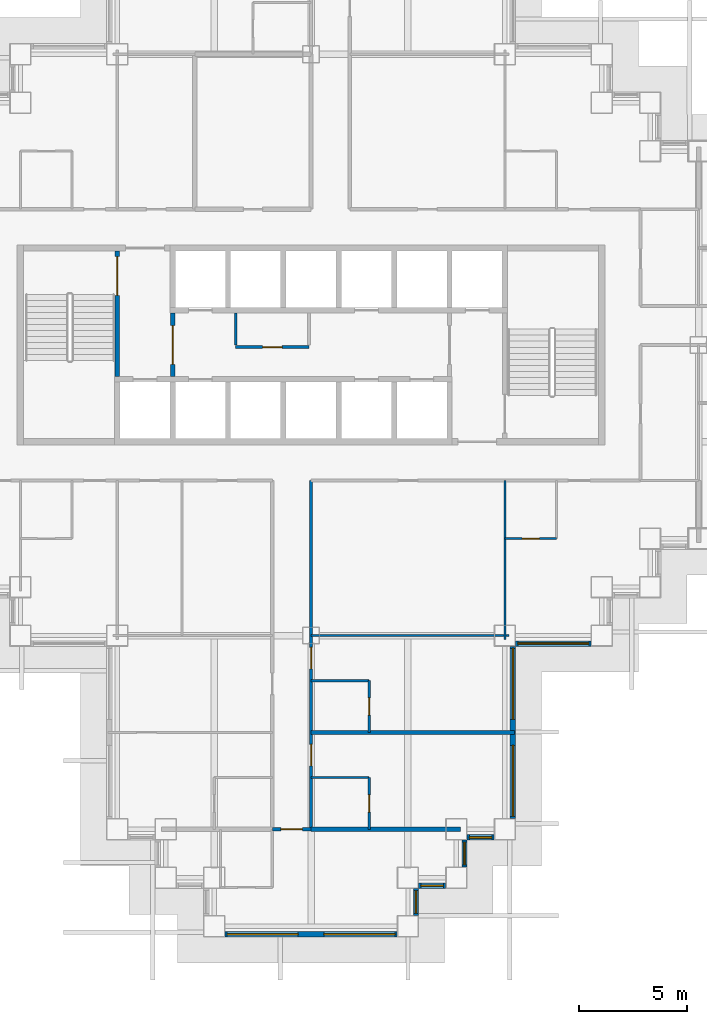
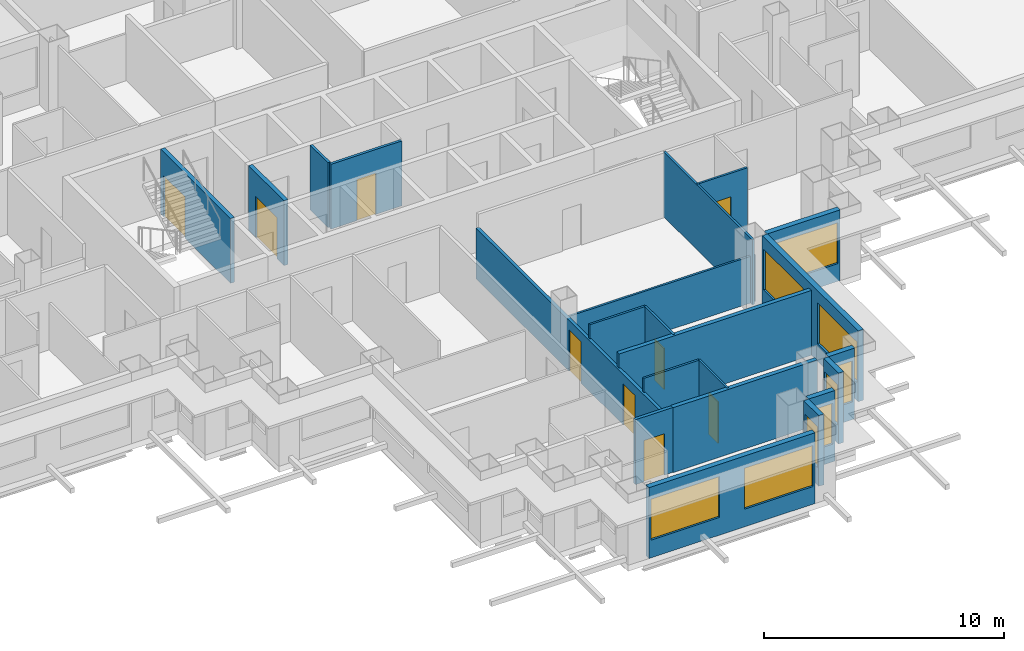
# One storey, part 5 of 15: 22 walls, 9 doors, 9 windows, 18 openings.
"""IFC4 building model written with IfcOpenShell, lengths in metres."""

from ifc_helpers import new_model, si_unit, direction, frame, frame_2d, origin, place, context, subcontext, project, spatial, rectangle, extrude, material, layer, layer_set, type_object, element, fill, save


model = new_model("IFC4")

# Units and contexts
model_context = context("Model", 3, precision=1e-05, world=origin(), true_north=direction((0.0, 1.0)))
body_context = subcontext(model_context, "Body", "Model", "MODEL_VIEW")
ifc_project = project(units=[si_unit("LENGTHUNIT", "METRE"), si_unit("AREAUNIT", "SQUARE_METRE"), si_unit("VOLUMEUNIT", "CUBIC_METRE"), si_unit("PLANEANGLEUNIT", "RADIAN"), si_unit("MASSUNIT", "GRAM", prefix="KILO")], contexts=[model_context])

# Site, building, storey
site_placement = place(None, origin())
site = spatial("IfcSite", under=ifc_project, at=site_placement, CompositionType="ELEMENT")
building_placement = place(site_placement, origin())
building = spatial("IfcBuilding", under=site, at=building_placement, Name="Caravel Reach Hotel and Residences", CompositionType="ELEMENT")
storey_placement = place(building_placement, frame((0.0, 0.0, 70.800048828125)))
storey = spatial("IfcBuildingStorey", under=building, at=storey_placement, Name="L16", CompositionType="ELEMENT", Elevation=70.800048828125)

# Wall
ifc_material_1 = material(Name="Gypsum board on steel stud", Category="steel")
ifc_layer_1 = layer(ifc_material_1, 0.10009765625)
ifc_layer_set_1 = layer_set([ifc_layer_1], Name="Bathroom pod wall 100 mm")
wall_type_1 = type_object("IfcWallType", Name="Bathroom pod wall 100 mm", PredefinedType="PARTITIONING", material=ifc_layer_set_1)
wall_1_placement = place(storey_placement, frame((31.5, 11.39990234375, 0.0), z_axis=(0.0, 0.0, 1.0), x_axis=(1.0, 0.0, 0.0)))
element("IfcWall", 1, at=wall_1_placement, inside=storey, type_object=wall_type_1, Name="L16 wall w074", PredefinedType="PARTITIONING", context=body_context, shape_type="SweptSolid", body=[
    extrude(rectangle(XDim=2.699951171875, YDim=0.10009765625, at=frame_2d((1.35009765625, 0.0))), origin(), (0.0, 0.0, 1.0), 3.300048828125),
])

# Wall, opening, door
wall_2_placement = place(storey_placement, frame((40.5, 18.0, 0.0), z_axis=(0.0, 0.0, 1.0), x_axis=(1.0, 0.0, 0.0)))
wall_2 = element("IfcWall", 2, at=wall_2_placement, inside=storey, type_object=wall_type_1, Name="L16 wall w076", PredefinedType="PARTITIONING", context=body_context, shape_type="SweptSolid", body=[
    extrude(rectangle(XDim=2.39990234375, YDim=0.10009765625, at=frame_2d((1.199951171875, 0.0))), origin(), (0.0, 0.0, 1.0), 3.300048828125),
])
opening_1_placement = place(wall_2_placement, frame((0.800048828125, 0.0, 0.0)))
opening_1 = element("IfcOpeningElement", 3, at=opening_1_placement, cuts=wall_2, Name="Opening D16-050", PredefinedType="OPENING", context=body_context, shape_type="SweptSolid", body=[
    extrude(rectangle(XDim=0.800048828125, YDim=2.10009765625, at=frame_2d((0.39990234375, 1.050048828125))), frame((0.0, 0.06005859375, 0.0), z_axis=(0.0, -1.0, 0.0), x_axis=(1.0, 0.0, 0.0)), (0.0, 0.0, 1.0), 0.1201171875),
])
ifc_material_2 = material(Name="Timber and steel door leaf", Category="steel")
door_type_1 = type_object("IfcDoorType", Name="Bathroom door 800 x 2100", OperationType="SINGLE_SWING_LEFT", PredefinedType="DOOR", material=ifc_material_2)
door_1_placement = place(opening_1_placement, origin())
door_1 = element("IfcDoor", 4, at=door_1_placement, inside=storey, type_object=door_type_1, Name="door D16-050", OperationType="SINGLE_SWING_RIGHT", OverallHeight=2.10009765625, OverallWidth=0.800048828125, PredefinedType="DOOR", context=body_context, shape_type="SweptSolid", body=[
    extrude(rectangle(XDim=0.800048828125, YDim=2.10009765625, at=frame_2d((0.39990234375, 1.050048828125))), frame((0.0, 0.02490234375, 0.0), z_axis=(0.0, -1.0, 0.0), x_axis=(1.0, 0.0, 0.0)), (0.0, 0.0, 1.0), 0.050048828125),
])
fill(opening_1, door_1)

# Wall
wall_3_placement = place(storey_placement, frame((31.5, 6.89990234375, 0.0), z_axis=(0.0, 0.0, 1.0), x_axis=(1.0, 0.0, 0.0)))
element("IfcWall", 5, at=wall_3_placement, inside=storey, type_object=wall_type_1, Name="L16 wall w086", PredefinedType="PARTITIONING", context=body_context, shape_type="SweptSolid", body=[
    extrude(rectangle(XDim=2.699951171875, YDim=0.10009765625, at=frame_2d((1.35009765625, 0.0))), origin(), (0.0, 0.0, 1.0), 3.300048828125),
])

# Wall, opening, door
wall_4_placement = place(storey_placement, frame((34.199951171875, 9.0, 0.0), z_axis=(0.0, 0.0, 1.0), x_axis=(0.0, 1.0, 0.0)))
wall_4 = element("IfcWall", 6, at=wall_4_placement, inside=storey, type_object=wall_type_1, Name="L16 wall w098", PredefinedType="PARTITIONING", context=body_context, shape_type="SweptSolid", body=[
    extrude(rectangle(XDim=2.39990234375, YDim=0.10009765625, at=frame_2d((1.199951171875, 0.0))), origin(), (0.0, 0.0, 1.0), 3.300048828125),
])
opening_2_placement = place(wall_4_placement, frame((0.800048828125, 0.0, 0.0)))
opening_2 = element("IfcOpeningElement", 7, at=opening_2_placement, cuts=wall_4, Name="Opening D16-034", PredefinedType="OPENING", context=body_context, shape_type="SweptSolid", body=[
    extrude(rectangle(XDim=0.800048828125, YDim=2.10009765625, at=frame_2d((0.39990234375, 1.050048828125))), frame((0.0, 0.06005859375, 0.0), z_axis=(0.0, -1.0, 0.0), x_axis=(1.0, 0.0, 0.0)), (0.0, 0.0, 1.0), 0.1201171875),
])
door_2_placement = place(opening_2_placement, origin())
door_2 = element("IfcDoor", 8, at=door_2_placement, inside=storey, type_object=door_type_1, Name="door D16-034", OperationType="SINGLE_SWING_LEFT", OverallHeight=2.10009765625, OverallWidth=0.800048828125, PredefinedType="DOOR", context=body_context, shape_type="SweptSolid", body=[
    extrude(rectangle(XDim=0.800048828125, YDim=2.10009765625, at=frame_2d((0.39990234375, 1.050048828125))), frame((0.0, 0.02490234375, 0.0), z_axis=(0.0, -1.0, 0.0), x_axis=(1.0, 0.0, 0.0)), (0.0, 0.0, 1.0), 0.050048828125),
])
fill(opening_2, door_2)

wall_5_placement = place(storey_placement, frame((34.199951171875, 4.5, 0.0), z_axis=(0.0, 0.0, 1.0), x_axis=(0.0, 1.0, 0.0)))
wall_5 = element("IfcWall", 9, at=wall_5_placement, inside=storey, type_object=wall_type_1, Name="L16 wall w099", PredefinedType="PARTITIONING", context=body_context, shape_type="SweptSolid", body=[
    extrude(rectangle(XDim=2.39990234375, YDim=0.10009765625, at=frame_2d((1.199951171875, 0.0))), origin(), (0.0, 0.0, 1.0), 3.300048828125),
])
opening_3_placement = place(wall_5_placement, frame((0.800048828125, 0.0, 0.0)))
opening_3 = element("IfcOpeningElement", 10, at=opening_3_placement, cuts=wall_5, Name="Opening D16-036", PredefinedType="OPENING", context=body_context, shape_type="SweptSolid", body=[
    extrude(rectangle(XDim=0.800048828125, YDim=2.10009765625, at=frame_2d((0.39990234375, 1.050048828125))), frame((0.0, 0.06005859375, 0.0), z_axis=(0.0, -1.0, 0.0), x_axis=(1.0, 0.0, 0.0)), (0.0, 0.0, 1.0), 0.1201171875),
])
door_3_placement = place(opening_3_placement, origin())
door_3 = element("IfcDoor", 11, at=door_3_placement, inside=storey, type_object=door_type_1, Name="door D16-036", OperationType="SINGLE_SWING_LEFT", OverallHeight=2.10009765625, OverallWidth=0.800048828125, PredefinedType="DOOR", context=body_context, shape_type="SweptSolid", body=[
    extrude(rectangle(XDim=0.800048828125, YDim=2.10009765625, at=frame_2d((0.39990234375, 1.050048828125))), frame((0.0, 0.02490234375, 0.0), z_axis=(0.0, -1.0, 0.0), x_axis=(1.0, 0.0, 0.0)), (0.0, 0.0, 1.0), 0.050048828125),
])
fill(opening_3, door_3)

ifc_material_3 = material(Name="Gypsum board on steel stud, fire-rated", Category="steel")
ifc_layer_2 = layer(ifc_material_3, 0.14990234375)
ifc_layer_set_2 = layer_set([ifc_layer_2], Name="Corridor wall 150 mm EI 60")
wall_type_2 = type_object("IfcWallType", Name="Corridor wall 150 mm EI 60", PredefinedType="PARTITIONING", material=ifc_layer_set_2)
wall_6_placement = place(storey_placement, frame((29.699951171875, 4.5, 0.0), z_axis=(0.0, 0.0, 1.0), x_axis=(1.0, 0.0, 0.0)))
wall_6 = element("IfcWall", 12, at=wall_6_placement, inside=storey, type_object=wall_type_2, Name="L16 wall w019", PredefinedType="PARTITIONING", context=body_context, shape_type="SweptSolid", body=[
    extrude(rectangle(XDim=1.800048828125, YDim=0.14990234375, at=frame_2d((0.89990234375, 0.0))), origin(), (0.0, 0.0, 1.0), 3.300048828125),
])
opening_4_placement = place(wall_6_placement, frame((0.39990234375, 0.0, 0.0)))
opening_4 = element("IfcOpeningElement", 13, at=opening_4_placement, cuts=wall_6, Name="Opening D16-040", PredefinedType="OPENING", context=body_context, shape_type="SweptSolid", body=[
    extrude(rectangle(XDim=1.0, YDim=2.10009765625, at=frame_2d((0.5, 1.050048828125))), frame((0.0, 0.0849609375, 0.0), z_axis=(0.0, -1.0, 0.0), x_axis=(1.0, 0.0, 0.0)), (0.0, 0.0, 1.0), 0.169921875),
])
ifc_material_4 = material(Name="Steel fire door leaf", Category="steel")
door_type_2 = type_object("IfcDoorType", Name="Guest room door 1000 x 2100 EI 30", OperationType="SINGLE_SWING_LEFT", PredefinedType="DOOR", material=ifc_material_4)
door_4_placement = place(opening_4_placement, origin())
door_4 = element("IfcDoor", 14, at=door_4_placement, inside=storey, type_object=door_type_2, Name="door D16-040", OperationType="SINGLE_SWING_LEFT", OverallHeight=2.10009765625, OverallWidth=1.0, PredefinedType="DOOR", context=body_context, shape_type="SweptSolid", body=[
    extrude(rectangle(XDim=1.0, YDim=2.10009765625, at=frame_2d((0.5, 1.050048828125))), frame((0.0, 0.02490234375, 0.0), z_axis=(0.0, -1.0, 0.0), x_axis=(1.0, 0.0, 0.0)), (0.0, 0.0, 1.0), 0.050048828125),
])
fill(opening_4, door_4)

# Wall, openings, doors
wall_7_placement = place(storey_placement, frame((31.5, 4.5, 0.0), z_axis=(0.0, 0.0, 1.0), x_axis=(0.0, 1.0, 0.0)))
wall_7 = element("IfcWall", 15, at=wall_7_placement, inside=storey, type_object=wall_type_2, Name="L16 wall w029", PredefinedType="PARTITIONING", context=body_context, shape_type="SweptSolid", body=[
    extrude(rectangle(XDim=16.199951171875, YDim=0.14990234375, at=frame_2d((8.10009765625, 0.0))), origin(), (0.0, 0.0, 1.0), 2.579833984375),
])
opening_5_placement = place(wall_7_placement, frame((7.449951171875, 0.0, 0.0)))
opening_5 = element("IfcOpeningElement", 16, at=opening_5_placement, cuts=wall_7, Name="Opening D16-033", PredefinedType="OPENING", context=body_context, shape_type="SweptSolid", body=[
    extrude(rectangle(XDim=1.0, YDim=2.10009765625, at=frame_2d((0.5, 1.050048828125))), frame((0.0, 0.0849609375, 0.0), z_axis=(0.0, -1.0, 0.0), x_axis=(1.0, 0.0, 0.0)), (0.0, 0.0, 1.0), 0.169921875),
])
opening_6_placement = place(wall_7_placement, frame((2.949951171875, 0.0, 0.0)))
opening_6 = element("IfcOpeningElement", 17, at=opening_6_placement, cuts=wall_7, Name="Opening D16-035", PredefinedType="OPENING", context=body_context, shape_type="SweptSolid", body=[
    extrude(rectangle(XDim=1.0, YDim=2.10009765625, at=frame_2d((0.5, 1.050048828125))), frame((0.0, 0.0849609375, 0.0), z_axis=(0.0, -1.0, 0.0), x_axis=(1.0, 0.0, 0.0)), (0.0, 0.0, 1.0), 0.169921875),
])
door_5_placement = place(opening_5_placement, origin())
door_5 = element("IfcDoor", 18, at=door_5_placement, inside=storey, type_object=door_type_2, Name="door D16-033", OperationType="SINGLE_SWING_RIGHT", OverallHeight=2.10009765625, OverallWidth=1.0, PredefinedType="DOOR", context=body_context, shape_type="SweptSolid", body=[
    extrude(rectangle(XDim=1.0, YDim=2.10009765625, at=frame_2d((0.5, 1.050048828125))), frame((0.0, 0.02490234375, 0.0), z_axis=(0.0, -1.0, 0.0), x_axis=(1.0, 0.0, 0.0)), (0.0, 0.0, 1.0), 0.050048828125),
])
fill(opening_5, door_5)
door_6_placement = place(opening_6_placement, origin())
door_6 = element("IfcDoor", 19, at=door_6_placement, inside=storey, type_object=door_type_2, Name="door D16-035", OperationType="SINGLE_SWING_RIGHT", OverallHeight=2.10009765625, OverallWidth=1.0, PredefinedType="DOOR", context=body_context, shape_type="SweptSolid", body=[
    extrude(rectangle(XDim=1.0, YDim=2.10009765625, at=frame_2d((0.5, 1.050048828125))), frame((0.0, 0.02490234375, 0.0), z_axis=(0.0, -1.0, 0.0), x_axis=(1.0, 0.0, 0.0)), (0.0, 0.0, 1.0), 0.050048828125),
])
fill(opening_6, door_6)

# Wall, openings, windows
ifc_material_5 = material(Name="Insulated rainscreen wall, aluminium cladding", Category="aluminium")
ifc_layer_3 = layer(ifc_material_5, 0.25)
ifc_layer_set_3 = layer_set([ifc_layer_3], Name="EW1 Tower rainscreen wall")
wall_type_3 = type_object("IfcWallType", Name="EW1 Tower rainscreen wall", PredefinedType="SOLIDWALL", material=ifc_layer_set_3)
wall_8_placement = place(storey_placement, frame((27.5, -0.375, 0.0), z_axis=(0.0, 0.0, 1.0), x_axis=(1.0, 0.0, 0.0)))
wall_8 = element("IfcWall", 20, at=wall_8_placement, inside=storey, type_object=wall_type_3, Name="External wall L16 S5.1", PredefinedType="SOLIDWALL", context=body_context, shape_type="SweptSolid", body=[
    extrude(rectangle(XDim=8.0, YDim=0.25, at=frame_2d((4.0, 0.0))), origin(), (0.0, 0.0, 1.0), 3.599853515625),
])
opening_7_placement = place(wall_8_placement, frame((0.10009765625, 0.0, 0.89990234375)))
opening_7 = element("IfcOpeningElement", 21, at=opening_7_placement, cuts=wall_8, Name="Opening WN4", PredefinedType="OPENING", context=body_context, shape_type="SweptSolid", body=[
    extrude(rectangle(XDim=3.300048828125, YDim=2.080078125, at=frame_2d((1.64990234375, 1.0400390625))), frame((0.0, 0.135009765625, 0.0), z_axis=(0.0, -1.0, 0.0), x_axis=(1.0, 0.0, 0.0)), (0.0, 0.0, 1.0), 0.27001953125),
])
opening_8_placement = place(wall_8_placement, frame((4.60009765625, 0.0, 0.89990234375)))
opening_8 = element("IfcOpeningElement", 22, at=opening_8_placement, cuts=wall_8, Name="Opening WN4", PredefinedType="OPENING", context=body_context, shape_type="SweptSolid", body=[
    extrude(rectangle(XDim=3.300048828125, YDim=2.080078125, at=frame_2d((1.64990234375, 1.0400390625))), frame((0.0, 0.135009765625, 0.0), z_axis=(0.0, -1.0, 0.0), x_axis=(1.0, 0.0, 0.0)), (0.0, 0.0, 1.0), 0.27001953125),
])
ifc_material_6 = material(Name="Dark low-e glazing in black aluminium frame", Category="aluminium")
window_type_1 = type_object("IfcWindowType", Name="Hotel guest room window 3300 x 2080", PartitioningType="SINGLE_PANEL", PredefinedType="WINDOW", material=ifc_material_6)
window_1_placement = place(opening_7_placement, origin())
window_1 = element("IfcWindow", 23, at=window_1_placement, inside=storey, type_object=window_type_1, Name="Window L16 S5.1.1", OverallHeight=2.080078125, OverallWidth=3.300048828125, PartitioningType="SINGLE_PANEL", PredefinedType="WINDOW", context=body_context, shape_type="SweptSolid", body=[
    extrude(rectangle(XDim=3.300048828125, YDim=2.080078125, at=frame_2d((1.64990234375, 1.0400390625))), frame((0.0, 0.030029296875, 0.0), z_axis=(0.0, -1.0, 0.0), x_axis=(1.0, 0.0, 0.0)), (0.0, 0.0, 1.0), 0.06005859375),
])
fill(opening_7, window_1)
window_2_placement = place(opening_8_placement, origin())
window_2 = element("IfcWindow", 24, at=window_2_placement, inside=storey, type_object=window_type_1, Name="Window L16 S5.1.2", OverallHeight=2.080078125, OverallWidth=3.300048828125, PartitioningType="SINGLE_PANEL", PredefinedType="WINDOW", context=body_context, shape_type="SweptSolid", body=[
    extrude(rectangle(XDim=3.300048828125, YDim=2.080078125, at=frame_2d((1.64990234375, 1.0400390625))), frame((0.0, 0.030029296875, 0.0), z_axis=(0.0, -1.0, 0.0), x_axis=(1.0, 0.0, 0.0)), (0.0, 0.0, 1.0), 0.06005859375),
])
fill(opening_8, window_2)

# Wall, opening, window
wall_9_placement = place(storey_placement, frame((36.375, 0.5, 0.0), z_axis=(0.0, 0.0, 1.0), x_axis=(0.0, 1.0, 0.0)))
wall_9 = element("IfcWall", 25, at=wall_9_placement, inside=storey, type_object=wall_type_3, Name="External wall L16 E6.1", PredefinedType="SOLIDWALL", context=body_context, shape_type="SweptSolid", body=[
    extrude(rectangle(XDim=1.25, YDim=0.25, at=frame_2d((0.625, 0.0))), origin(), (0.0, 0.0, 1.0), 3.599853515625),
])
opening_9_placement = place(wall_9_placement, frame((0.10009765625, 0.0, 0.89990234375)))
opening_9 = element("IfcOpeningElement", 26, at=opening_9_placement, cuts=wall_9, Name="Opening WN3", PredefinedType="OPENING", context=body_context, shape_type="SweptSolid", body=[
    extrude(rectangle(XDim=1.050048828125, YDim=2.080078125, at=frame_2d((0.52490234375, 1.0400390625))), frame((0.0, 0.135009765625, 0.0), z_axis=(0.0, -1.0, 0.0), x_axis=(1.0, 0.0, 0.0)), (0.0, 0.0, 1.0), 0.27001953125),
])
ifc_material_7 = material(Name="Dark low-e glazing in black aluminium frame", Category="aluminium")
window_type_2 = type_object("IfcWindowType", Name="Hotel suite corner window 1050 x 2080", PartitioningType="SINGLE_PANEL", PredefinedType="WINDOW", material=ifc_material_7)
window_3_placement = place(opening_9_placement, origin())
window_3 = element("IfcWindow", 27, at=window_3_placement, inside=storey, type_object=window_type_2, Name="Window L16 E6.1.1", OverallHeight=2.080078125, OverallWidth=1.050048828125, PartitioningType="SINGLE_PANEL", PredefinedType="WINDOW", context=body_context, shape_type="SweptSolid", body=[
    extrude(rectangle(XDim=1.050048828125, YDim=2.080078125, at=frame_2d((0.52490234375, 1.0400390625))), frame((0.0, 0.030029296875, 0.0), z_axis=(0.0, -1.0, 0.0), x_axis=(1.0, 0.0, 0.0)), (0.0, 0.0, 1.0), 0.06005859375),
])
fill(opening_9, window_3)

wall_10_placement = place(storey_placement, frame((36.5, 1.875, 0.0), z_axis=(0.0, 0.0, 1.0), x_axis=(1.0, 0.0, 0.0)))
wall_10 = element("IfcWall", 28, at=wall_10_placement, inside=storey, type_object=wall_type_3, Name="External wall L16 S7.1", PredefinedType="SOLIDWALL", context=body_context, shape_type="SweptSolid", body=[
    extrude(rectangle(XDim=1.25, YDim=0.25, at=frame_2d((0.625, 0.0))), origin(), (0.0, 0.0, 1.0), 3.599853515625),
])
opening_10_placement = place(wall_10_placement, frame((0.10009765625, 0.0, 0.89990234375)))
opening_10 = element("IfcOpeningElement", 29, at=opening_10_placement, cuts=wall_10, Name="Opening WN3", PredefinedType="OPENING", context=body_context, shape_type="SweptSolid", body=[
    extrude(rectangle(XDim=1.050048828125, YDim=2.080078125, at=frame_2d((0.52490234375, 1.0400390625))), frame((0.0, 0.135009765625, 0.0), z_axis=(0.0, -1.0, 0.0), x_axis=(1.0, 0.0, 0.0)), (0.0, 0.0, 1.0), 0.27001953125),
])
window_4_placement = place(opening_10_placement, origin())
window_4 = element("IfcWindow", 30, at=window_4_placement, inside=storey, type_object=window_type_2, Name="Window L16 S7.1.1", OverallHeight=2.080078125, OverallWidth=1.050048828125, PartitioningType="SINGLE_PANEL", PredefinedType="WINDOW", context=body_context, shape_type="SweptSolid", body=[
    extrude(rectangle(XDim=1.050048828125, YDim=2.080078125, at=frame_2d((0.52490234375, 1.0400390625))), frame((0.0, 0.030029296875, 0.0), z_axis=(0.0, -1.0, 0.0), x_axis=(1.0, 0.0, 0.0)), (0.0, 0.0, 1.0), 0.06005859375),
])
fill(opening_10, window_4)

wall_11_placement = place(storey_placement, frame((38.625, 2.75, 0.0), z_axis=(0.0, 0.0, 1.0), x_axis=(0.0, 1.0, 0.0)))
wall_11 = element("IfcWall", 31, at=wall_11_placement, inside=storey, type_object=wall_type_3, Name="External wall L16 E8.1", PredefinedType="SOLIDWALL", context=body_context, shape_type="SweptSolid", body=[
    extrude(rectangle(XDim=1.25, YDim=0.25, at=frame_2d((0.625, 0.0))), origin(), (0.0, 0.0, 1.0), 3.599853515625),
])
opening_11_placement = place(wall_11_placement, frame((0.10009765625, 0.0, 0.89990234375)))
opening_11 = element("IfcOpeningElement", 32, at=opening_11_placement, cuts=wall_11, Name="Opening WN3", PredefinedType="OPENING", context=body_context, shape_type="SweptSolid", body=[
    extrude(rectangle(XDim=1.050048828125, YDim=2.080078125, at=frame_2d((0.52490234375, 1.0400390625))), frame((0.0, 0.135009765625, 0.0), z_axis=(0.0, -1.0, 0.0), x_axis=(1.0, 0.0, 0.0)), (0.0, 0.0, 1.0), 0.27001953125),
])
window_5_placement = place(opening_11_placement, origin())
window_5 = element("IfcWindow", 33, at=window_5_placement, inside=storey, type_object=window_type_2, Name="Window L16 E8.1.1", OverallHeight=2.080078125, OverallWidth=1.050048828125, PartitioningType="SINGLE_PANEL", PredefinedType="WINDOW", context=body_context, shape_type="SweptSolid", body=[
    extrude(rectangle(XDim=1.050048828125, YDim=2.080078125, at=frame_2d((0.52490234375, 1.0400390625))), frame((0.0, 0.030029296875, 0.0), z_axis=(0.0, -1.0, 0.0), x_axis=(1.0, 0.0, 0.0)), (0.0, 0.0, 1.0), 0.06005859375),
])
fill(opening_11, window_5)

wall_12_placement = place(storey_placement, frame((38.75, 4.125, 0.0), z_axis=(0.0, 0.0, 1.0), x_axis=(1.0, 0.0, 0.0)))
wall_12 = element("IfcWall", 34, at=wall_12_placement, inside=storey, type_object=wall_type_3, Name="External wall L16 S9.1", PredefinedType="SOLIDWALL", context=body_context, shape_type="SweptSolid", body=[
    extrude(rectangle(XDim=1.25, YDim=0.25, at=frame_2d((0.625, 0.0))), origin(), (0.0, 0.0, 1.0), 3.599853515625),
])
opening_12_placement = place(wall_12_placement, frame((0.10009765625, 0.0, 0.89990234375)))
opening_12 = element("IfcOpeningElement", 35, at=opening_12_placement, cuts=wall_12, Name="Opening WN3", PredefinedType="OPENING", context=body_context, shape_type="SweptSolid", body=[
    extrude(rectangle(XDim=1.050048828125, YDim=2.080078125, at=frame_2d((0.52490234375, 1.0400390625))), frame((0.0, 0.135009765625, 0.0), z_axis=(0.0, -1.0, 0.0), x_axis=(1.0, 0.0, 0.0)), (0.0, 0.0, 1.0), 0.27001953125),
])
window_6_placement = place(opening_12_placement, origin())
window_6 = element("IfcWindow", 36, at=window_6_placement, inside=storey, type_object=window_type_2, Name="Window L16 S9.1.1", OverallHeight=2.080078125, OverallWidth=1.050048828125, PartitioningType="SINGLE_PANEL", PredefinedType="WINDOW", context=body_context, shape_type="SweptSolid", body=[
    extrude(rectangle(XDim=1.050048828125, YDim=2.080078125, at=frame_2d((0.52490234375, 1.0400390625))), frame((0.0, 0.030029296875, 0.0), z_axis=(0.0, -1.0, 0.0), x_axis=(1.0, 0.0, 0.0)), (0.0, 0.0, 1.0), 0.06005859375),
])
fill(opening_12, window_6)

# Wall, openings, windows
wall_13_placement = place(storey_placement, frame((40.875, 5.0, 0.0), z_axis=(0.0, 0.0, 1.0), x_axis=(0.0, 1.0, 0.0)))
wall_13 = element("IfcWall", 37, at=wall_13_placement, inside=storey, type_object=wall_type_3, Name="External wall L16 E10.1", PredefinedType="SOLIDWALL", context=body_context, shape_type="SweptSolid", body=[
    extrude(rectangle(XDim=8.0, YDim=0.25, at=frame_2d((4.0, 0.0))), origin(), (0.0, 0.0, 1.0), 3.599853515625),
])
opening_13_placement = place(wall_13_placement, frame((0.10009765625, 0.0, 0.89990234375)))
opening_13 = element("IfcOpeningElement", 38, at=opening_13_placement, cuts=wall_13, Name="Opening WN4", PredefinedType="OPENING", context=body_context, shape_type="SweptSolid", body=[
    extrude(rectangle(XDim=3.300048828125, YDim=2.080078125, at=frame_2d((1.64990234375, 1.0400390625))), frame((0.0, 0.135009765625, 0.0), z_axis=(0.0, -1.0, 0.0), x_axis=(1.0, 0.0, 0.0)), (0.0, 0.0, 1.0), 0.27001953125),
])
opening_14_placement = place(wall_13_placement, frame((4.60009765625, 0.0, 0.89990234375)))
opening_14 = element("IfcOpeningElement", 39, at=opening_14_placement, cuts=wall_13, Name="Opening WN4", PredefinedType="OPENING", context=body_context, shape_type="SweptSolid", body=[
    extrude(rectangle(XDim=3.300048828125, YDim=2.080078125, at=frame_2d((1.64990234375, 1.0400390625))), frame((0.0, 0.135009765625, 0.0), z_axis=(0.0, -1.0, 0.0), x_axis=(1.0, 0.0, 0.0)), (0.0, 0.0, 1.0), 0.27001953125),
])
window_7_placement = place(opening_13_placement, origin())
window_7 = element("IfcWindow", 40, at=window_7_placement, inside=storey, type_object=window_type_1, Name="Window L16 E10.1.1", OverallHeight=2.080078125, OverallWidth=3.300048828125, PartitioningType="SINGLE_PANEL", PredefinedType="WINDOW", context=body_context, shape_type="SweptSolid", body=[
    extrude(rectangle(XDim=3.300048828125, YDim=2.080078125, at=frame_2d((1.64990234375, 1.0400390625))), frame((0.0, 0.030029296875, 0.0), z_axis=(0.0, -1.0, 0.0), x_axis=(1.0, 0.0, 0.0)), (0.0, 0.0, 1.0), 0.06005859375),
])
fill(opening_13, window_7)
window_8_placement = place(opening_14_placement, origin())
window_8 = element("IfcWindow", 41, at=window_8_placement, inside=storey, type_object=window_type_1, Name="Window L16 E10.1.2", OverallHeight=2.080078125, OverallWidth=3.300048828125, PartitioningType="SINGLE_PANEL", PredefinedType="WINDOW", context=body_context, shape_type="SweptSolid", body=[
    extrude(rectangle(XDim=3.300048828125, YDim=2.080078125, at=frame_2d((1.64990234375, 1.0400390625))), frame((0.0, 0.030029296875, 0.0), z_axis=(0.0, -1.0, 0.0), x_axis=(1.0, 0.0, 0.0)), (0.0, 0.0, 1.0), 0.06005859375),
])
fill(opening_14, window_8)

# Wall, opening, window
wall_14_placement = place(storey_placement, frame((41.0, 13.125, 0.0), z_axis=(0.0, 0.0, 1.0), x_axis=(1.0, 0.0, 0.0)))
wall_14 = element("IfcWall", 42, at=wall_14_placement, inside=storey, type_object=wall_type_3, Name="External wall L16 S11.1", PredefinedType="SOLIDWALL", context=body_context, shape_type="SweptSolid", body=[
    extrude(rectangle(XDim=3.5, YDim=0.25, at=frame_2d((1.75, 0.0))), origin(), (0.0, 0.0, 1.0), 3.599853515625),
])
opening_15_placement = place(wall_14_placement, frame((0.10009765625, 0.0, 0.89990234375)))
opening_15 = element("IfcOpeningElement", 43, at=opening_15_placement, cuts=wall_14, Name="Opening WN4", PredefinedType="OPENING", context=body_context, shape_type="SweptSolid", body=[
    extrude(rectangle(XDim=3.300048828125, YDim=2.080078125, at=frame_2d((1.64990234375, 1.0400390625))), frame((0.0, 0.135009765625, 0.0), z_axis=(0.0, -1.0, 0.0), x_axis=(1.0, 0.0, 0.0)), (0.0, 0.0, 1.0), 0.27001953125),
])
window_9_placement = place(opening_15_placement, origin())
window_9 = element("IfcWindow", 44, at=window_9_placement, inside=storey, type_object=window_type_1, Name="Window L16 S11.1.1", OverallHeight=2.080078125, OverallWidth=3.300048828125, PartitioningType="SINGLE_PANEL", PredefinedType="WINDOW", context=body_context, shape_type="SweptSolid", body=[
    extrude(rectangle(XDim=3.300048828125, YDim=2.080078125, at=frame_2d((1.64990234375, 1.0400390625))), frame((0.0, 0.030029296875, 0.0), z_axis=(0.0, -1.0, 0.0), x_axis=(1.0, 0.0, 0.0)), (0.0, 0.0, 1.0), 0.06005859375),
])
fill(opening_15, window_9)

# Wall, opening, door
ifc_material_8 = material(Name="Autoclaved aerated block wall")
ifc_layer_4 = layer(ifc_material_8, 0.199951171875)
ifc_layer_set_4 = layer_set([ifc_layer_4], Name="Fire lobby wall 200 mm EI 120")
wall_type_4 = type_object("IfcWallType", Name="Fire lobby wall 200 mm EI 120", PredefinedType="PARTITIONING", material=ifc_layer_set_4)
wall_15_placement = place(storey_placement, frame((25.071533203125, 25.52490234375, 0.0), z_axis=(0.0, 0.0, 1.0), x_axis=(0.0, 1.0, 0.0)))
wall_15 = element("IfcWall", 45, at=wall_15_placement, inside=storey, type_object=wall_type_4, Name="L16 lobby W wall", PredefinedType="PARTITIONING", context=body_context, shape_type="SweptSolid", body=[
    extrude(rectangle(XDim=2.9501953125, YDim=0.199951171875, at=frame_2d((1.47509765625, 0.0))), origin(), (0.0, 0.0, 1.0), 3.300048828125),
])
opening_16_placement = place(wall_15_placement, frame((0.574951171875, 0.0, 0.0)))
opening_16 = element("IfcOpeningElement", 46, at=opening_16_placement, cuts=wall_15, Name="Opening D16-011", PredefinedType="OPENING", context=body_context, shape_type="SweptSolid", body=[
    extrude(rectangle(XDim=1.800048828125, YDim=2.10009765625, at=frame_2d((0.89990234375, 1.050048828125))), frame((0.0, 0.10986328125, 0.0), z_axis=(0.0, -1.0, 0.0), x_axis=(1.0, 0.0, 0.0)), (0.0, 0.0, 1.0), 0.219970703125),
])
ifc_material_9 = material(Name="Steel fire door leaf", Category="steel")
door_type_3 = type_object("IfcDoorType", Name="Fire lobby door pair 1800 x 2100 EI 90", OperationType="DOUBLE_DOOR_SINGLE_SWING", PredefinedType="DOOR", material=ifc_material_9)
door_7_placement = place(opening_16_placement, origin())
door_7 = element("IfcDoor", 47, at=door_7_placement, inside=storey, type_object=door_type_3, Name="lobby W door pair", OperationType="DOUBLE_DOOR_SINGLE_SWING", OverallHeight=2.10009765625, OverallWidth=1.800048828125, PredefinedType="DOOR", context=body_context, shape_type="SweptSolid", body=[
    extrude(rectangle(XDim=1.800048828125, YDim=2.10009765625, at=frame_2d((0.89990234375, 1.050048828125))), frame((0.0, 0.02490234375, 0.0), z_axis=(0.0, -1.0, 0.0), x_axis=(1.0, 0.0, 0.0)), (0.0, 0.0, 1.0), 0.050048828125),
])
fill(opening_16, door_7)

# Walls
ifc_material_10 = material(Name="Gypsum board on steel stud", Category="steel")
ifc_layer_5 = layer(ifc_material_10, 0.10009765625)
ifc_layer_set_5 = layer_set([ifc_layer_5], Name="Partition 100 mm")
wall_type_5 = type_object("IfcWallType", Name="Partition 100 mm", PredefinedType="PARTITIONING", material=ifc_layer_set_5)
wall_16_placement = place(storey_placement, frame((31.5, 13.5, 0.0), z_axis=(0.0, 0.0, 1.0), x_axis=(1.0, 0.0, 0.0)))
element("IfcWall", 48, at=wall_16_placement, inside=storey, type_object=wall_type_5, Name="L16 wall w038", PredefinedType="PARTITIONING", context=body_context, shape_type="SweptSolid", body=[
    extrude(rectangle(XDim=9.18994140625, YDim=0.10009765625, at=frame_2d((4.594970703125, 0.0))), origin(), (0.0, 0.0, 1.0), 2.3798828125),
])
wall_17_placement = place(storey_placement, frame((40.5, 13.31005859375, 0.0), z_axis=(0.0, 0.0, 1.0), x_axis=(0.0, 1.0, 0.0)))
element("IfcWall", 49, at=wall_17_placement, inside=storey, type_object=wall_type_5, Name="L16 wall w059", PredefinedType="PARTITIONING", context=body_context, shape_type="SweptSolid", body=[
    extrude(rectangle(XDim=7.389892578125, YDim=0.10009765625, at=frame_2d((3.69482421875, 0.0))), origin(), (0.0, 0.0, 1.0), 3.300048828125),
])
ifc_material_11 = material(Name="Autoclaved aerated block wall")
ifc_layer_6 = layer(ifc_material_11, 0.199951171875)
ifc_layer_set_6 = layer_set([ifc_layer_6], Name="Party wall 200 mm EI 60")
wall_type_6 = type_object("IfcWallType", Name="Party wall 200 mm EI 60", PredefinedType="PARTITIONING", material=ifc_layer_set_6)
wall_18_placement = place(storey_placement, frame((31.5, 4.5, 0.0), z_axis=(0.0, 0.0, 1.0), x_axis=(1.0, 0.0, 0.0)))
element("IfcWall", 50, at=wall_18_placement, inside=storey, type_object=wall_type_6, Name="L16 wall w066", PredefinedType="PARTITIONING", context=body_context, shape_type="SweptSolid", body=[
    extrude(rectangle(XDim=6.93994140625, YDim=0.199951171875, at=frame_2d((3.469970703125, 0.0))), origin(), (0.0, 0.0, 1.0), 3.300048828125),
])
wall_19_placement = place(storey_placement, frame((31.5, 9.0, 0.0), z_axis=(0.0, 0.0, 1.0), x_axis=(1.0, 0.0, 0.0)))
element("IfcWall", 51, at=wall_19_placement, inside=storey, type_object=wall_type_6, Name="L16 wall w069", PredefinedType="PARTITIONING", context=body_context, shape_type="SweptSolid", body=[
    extrude(rectangle(XDim=9.43994140625, YDim=0.199951171875, at=frame_2d((4.719970703125, 0.0))), origin(), (0.0, 0.0, 1.0), 3.300048828125),
])

# Wall, opening, door
ifc_material_12 = material(Name="Autoclaved aerated block wall")
ifc_layer_7 = layer(ifc_material_12, 0.125)
ifc_layer_set_7 = layer_set([ifc_layer_7], Name="Riser wall 125 mm EI 60")
wall_type_7 = type_object("IfcWallType", Name="Riser wall 125 mm EI 60", PredefinedType="PARTITIONING", material=ifc_layer_set_7)
wall_20_placement = place(storey_placement, frame((28.0, 26.89990234375, 0.0), z_axis=(0.0, 0.0, 1.0), x_axis=(1.0, 0.0, 0.0)))
wall_20 = element("IfcWall", 52, at=wall_20_placement, inside=storey, type_object=wall_type_7, Name="L16 service room wall N1", PredefinedType="PARTITIONING", context=body_context, shape_type="SweptSolid", body=[
    extrude(rectangle(XDim=3.39990234375, YDim=0.125, at=frame_2d((1.699951171875, 0.0))), origin(), (0.0, 0.0, 1.0), 3.300048828125),
])
opening_17_placement = place(wall_20_placement, frame((1.25, 0.0, 0.0)))
opening_17 = element("IfcOpeningElement", 53, at=opening_17_placement, cuts=wall_20, Name="Opening D16-008", PredefinedType="OPENING", context=body_context, shape_type="SweptSolid", body=[
    extrude(rectangle(XDim=0.89990234375, YDim=2.10009765625, at=frame_2d((0.449951171875, 1.050048828125))), frame((0.0, 0.072509765625, 0.0), z_axis=(0.0, -1.0, 0.0), x_axis=(1.0, 0.0, 0.0)), (0.0, 0.0, 1.0), 0.14501953125),
])
ifc_material_13 = material(Name="Steel fire door leaf", Category="steel")
door_type_4 = type_object("IfcDoorType", Name="Riser door 900 x 2100 EI 60", OperationType="SINGLE_SWING_LEFT", PredefinedType="DOOR", material=ifc_material_13)
door_8_placement = place(opening_17_placement, origin())
door_8 = element("IfcDoor", 54, at=door_8_placement, inside=storey, type_object=door_type_4, Name="Housekeeping store door", OperationType="SINGLE_SWING_LEFT", OverallHeight=2.10009765625, OverallWidth=0.89990234375, PredefinedType="DOOR", context=body_context, shape_type="SweptSolid", body=[
    extrude(rectangle(XDim=0.89990234375, YDim=2.10009765625, at=frame_2d((0.449951171875, 1.050048828125))), frame((0.0, 0.02490234375, 0.0), z_axis=(0.0, -1.0, 0.0), x_axis=(1.0, 0.0, 0.0)), (0.0, 0.0, 1.0), 0.050048828125),
])
fill(opening_17, door_8)

# Wall
wall_21_placement = place(storey_placement, frame((28.0, 28.47509765625, 0.0), z_axis=(0.0, 0.0, 1.0), x_axis=(0.0, -1.0, 0.0)))
element("IfcWall", 55, at=wall_21_placement, inside=storey, type_object=wall_type_7, Name="L16 service room partition N1", PredefinedType="PARTITIONING", context=body_context, shape_type="SweptSolid", body=[
    extrude(rectangle(XDim=1.47509765625, YDim=0.125, at=frame_2d((0.737548828125, 0.0))), origin(), (0.0, 0.0, 1.0), 3.300048828125),
])

# Wall, opening, door
ifc_material_14 = material(Name="Concrete C60", Category="concrete")
ifc_layer_8 = layer(ifc_material_14, 0.199951171875)
ifc_layer_set_8 = layer_set([ifc_layer_8], Name="Stair enclosure wall 200 mm EI 120")
wall_type_8 = type_object("IfcWallType", Name="Stair enclosure wall 200 mm EI 120", PredefinedType="SHEAR", material=ifc_layer_set_8)
wall_22_placement = place(storey_placement, frame((22.5, 31.35009765625, 0.0), z_axis=(0.0, 0.0, 1.0), x_axis=(0.0, -1.0, 0.0)))
wall_22 = element("IfcWall", 56, at=wall_22_placement, inside=storey, type_object=wall_type_8, Name="L16 stair A wall", PredefinedType="SHEAR", context=body_context, shape_type="SweptSolid", body=[
    extrude(rectangle(XDim=5.8251953125, YDim=0.199951171875, at=frame_2d((2.91259765625, 0.0))), origin(), (0.0, 0.0, 1.0), 3.300048828125),
])
opening_18_placement = place(wall_22_placement, frame((0.25, 0.0, 0.0)))
opening_18 = element("IfcOpeningElement", 57, at=opening_18_placement, cuts=wall_22, Name="Opening D16-009", PredefinedType="OPENING", context=body_context, shape_type="SweptSolid", body=[
    extrude(rectangle(XDim=1.800048828125, YDim=2.10009765625, at=frame_2d((0.89990234375, 1.050048828125))), frame((0.0, 0.10986328125, 0.0), z_axis=(0.0, -1.0, 0.0), x_axis=(1.0, 0.0, 0.0)), (0.0, 0.0, 1.0), 0.219970703125),
])
ifc_material_15 = material(Name="Steel fire door leaf", Category="steel")
door_type_5 = type_object("IfcDoorType", Name="Stair door pair 1800 x 2100 EI 90", OperationType="DOUBLE_DOOR_SINGLE_SWING", PredefinedType="DOOR", material=ifc_material_15)
door_9_placement = place(opening_18_placement, origin())
door_9 = element("IfcDoor", 58, at=door_9_placement, inside=storey, type_object=door_type_5, Name="stair A door pair", OperationType="DOUBLE_DOOR_SINGLE_SWING", OverallHeight=2.10009765625, OverallWidth=1.800048828125, PredefinedType="DOOR", context=body_context, shape_type="SweptSolid", body=[
    extrude(rectangle(XDim=1.800048828125, YDim=2.10009765625, at=frame_2d((0.89990234375, 1.050048828125))), frame((0.0, 0.02490234375, 0.0), z_axis=(0.0, -1.0, 0.0), x_axis=(1.0, 0.0, 0.0)), (0.0, 0.0, 1.0), 0.050048828125),
])
fill(opening_18, door_9)

save(model, "model.ifc")
